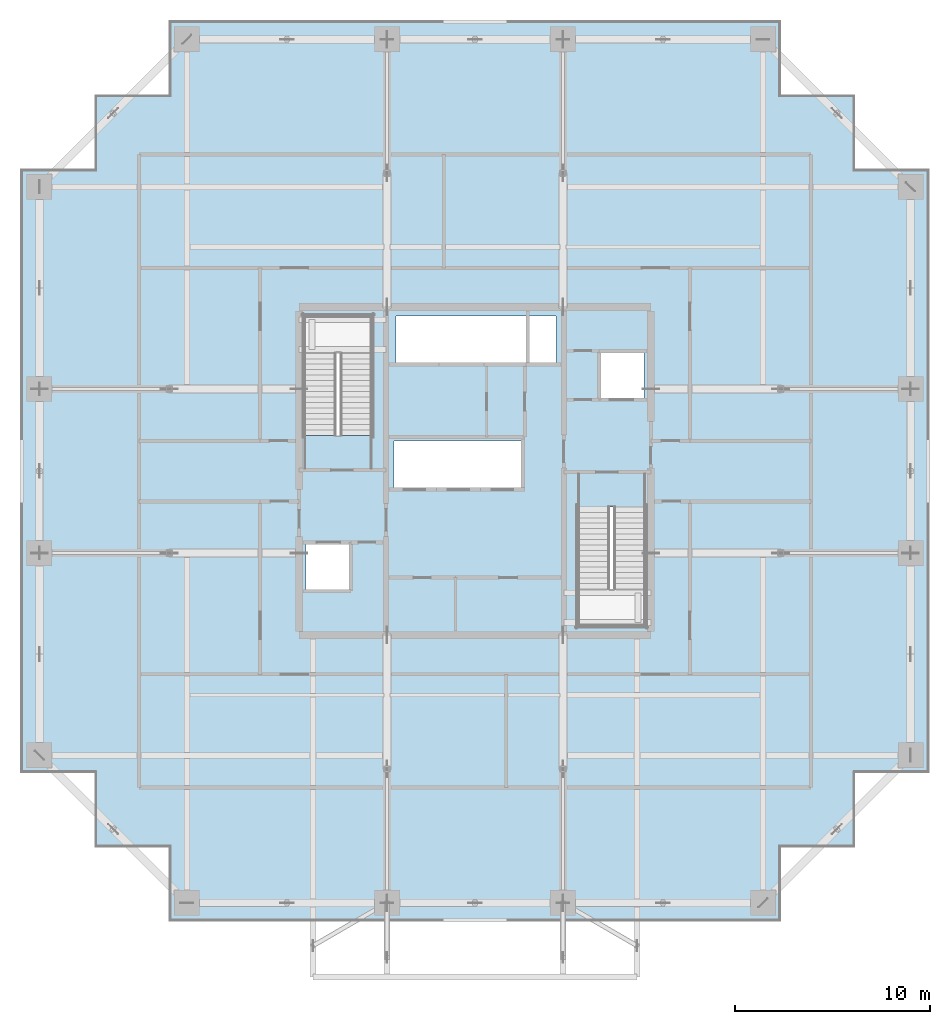
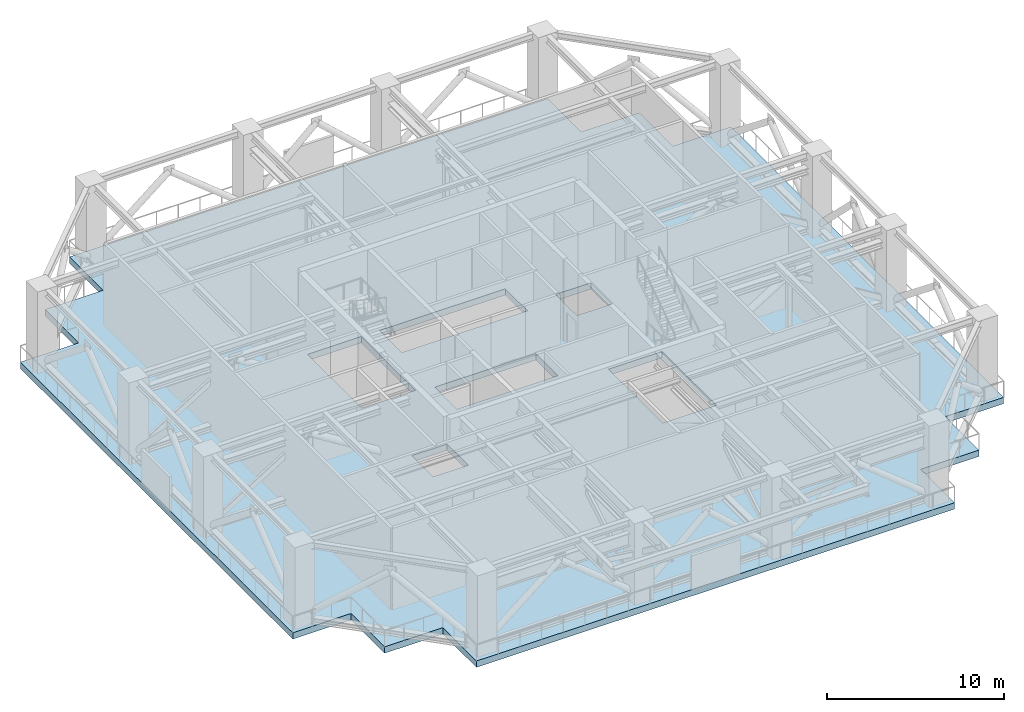
# One storey, part 8 of 22: 1 slab.
"""IFC4 building model written with IfcOpenShell, lengths in metres."""

from ifc_helpers import new_model, si_unit, direction, frame, origin, place, context, subcontext, project, spatial, polyline, outline, extrude, material, layer, layer_set, type_object, element, save


model = new_model("IFC4")

# Units and contexts
model_context = context("Model", 3, precision=1e-05, world=origin(), true_north=direction((0.0, 1.0)))
body_context = subcontext(model_context, "Body", "Model", "MODEL_VIEW")
ifc_project = project(units=[si_unit("LENGTHUNIT", "METRE"), si_unit("AREAUNIT", "SQUARE_METRE"), si_unit("VOLUMEUNIT", "CUBIC_METRE"), si_unit("PLANEANGLEUNIT", "RADIAN"), si_unit("MASSUNIT", "GRAM", prefix="KILO")], contexts=[model_context])

# Site, building, storey
site_placement = place(None, origin())
site = spatial("IfcSite", under=ifc_project, at=site_placement, CompositionType="ELEMENT")
building_placement = place(site_placement, origin())
building = spatial("IfcBuilding", under=site, at=building_placement, Name="Serunith Strait Residences", CompositionType="ELEMENT")
storey_placement = place(building_placement, frame((0.0, 0.0, 198.89990234375)))
storey = spatial("IfcBuildingStorey", under=building, at=storey_placement, Name="L50", CompositionType="ELEMENT", Elevation=198.89990234375)

# Slab
ifc_material = material(Name="Concrete C70/85", Category="concrete")
ifc_layer = layer(ifc_material, 0.43994140625, Name="Concrete C70/85")
ifc_layer_set = layer_set([ifc_layer], Name="Concrete C70/85")
slab_type = type_object("IfcSlabType", Name="SLB-SETB-440", PredefinedType="FLOOR", material=ifc_layer_set)
slab_placement = place(storey_placement, frame((0.0, 0.0, -0.43994140625)))
element("IfcSlab", 1, at=slab_placement, inside=storey, type_object=slab_type, Name="L50 Structural Floor Plate", PredefinedType="FLOOR", context=body_context, shape_type="SweptSolid", body=[
    extrude(outline(polyline([(16.800048828125, 6.0), (13.0, 6.0), (13.0, 9.800048828125), (9.199951171875, 9.800048828125), (9.199951171875, 40.60009765625), (13.0, 40.60009765625), (13.0, 44.39990234375), (16.800048828125, 44.39990234375), (16.800048828125, 48.199951171875), (48.0, 48.199951171875), (48.0, 44.39990234375), (51.800048828125, 44.39990234375), (51.800048828125, 40.60009765625), (55.60009765625, 40.60009765625), (55.60009765625, 9.800048828125), (51.800048828125, 9.800048828125), (51.800048828125, 6.0), (48.0, 6.0), (48.0, 2.199951171875), (16.800048828125, 2.199951171875), (16.800048828125, 6.0)]), holes=[polyline([(41.14990234375, 23.3701171875), (37.64990234375, 23.3701171875), (37.64990234375, 17.25), (41.14990234375, 17.25), (41.14990234375, 23.3701171875)]), polyline([(38.75, 31.25), (38.75, 28.85009765625), (41.050048828125, 28.85009765625), (41.050048828125, 31.25), (38.75, 31.25)]), polyline([(36.550048828125, 33.14990234375), (28.35009765625, 33.14990234375), (28.35009765625, 30.64990234375), (36.550048828125, 30.64990234375), (36.550048828125, 33.14990234375)]), polyline([(34.85009765625, 26.75), (28.25, 26.75), (28.25, 24.25), (34.85009765625, 24.25), (34.85009765625, 26.75)]), polyline([(23.64990234375, 33.14990234375), (23.64990234375, 27.030029296875), (27.14990234375, 27.030029296875), (27.14990234375, 33.14990234375), (23.64990234375, 33.14990234375)]), polyline([(26.050048828125, 21.550048828125), (23.75, 21.550048828125), (23.75, 19.14990234375), (26.050048828125, 19.14990234375), (26.050048828125, 21.550048828125)])]), origin(), (0.0, 0.0, 1.0), 0.43994140625),
])

save(model, "model.ifc")
